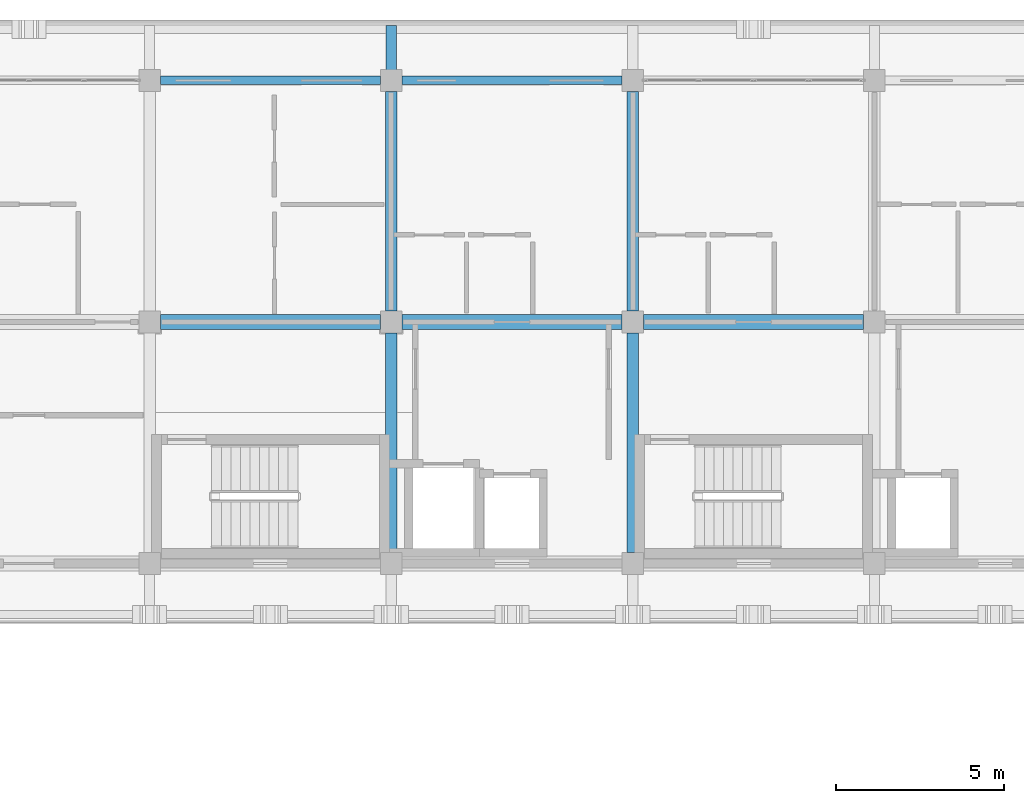
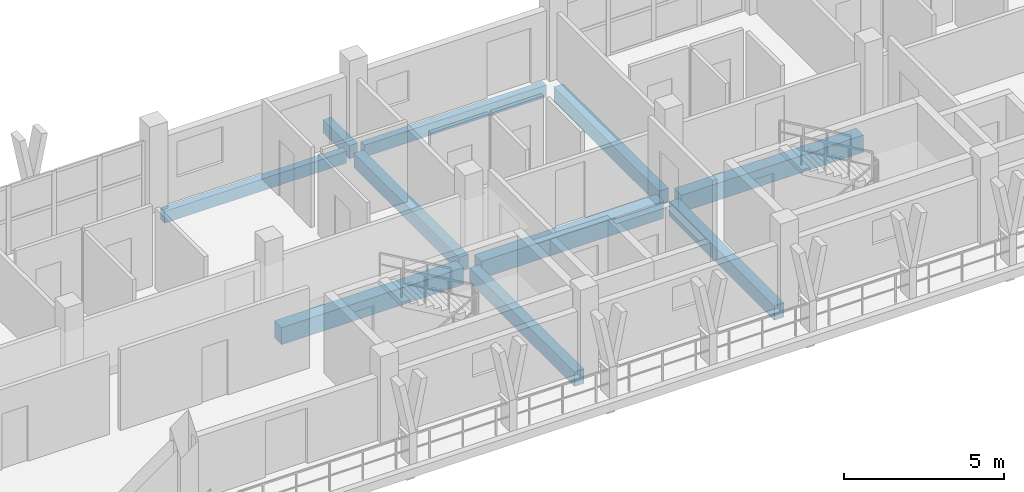
# One storey, part 13 of 75: 10 beams.
"""IFC4 building model written with IfcOpenShell, lengths in metres."""

import ifcopenshell
import ifcopenshell.guid

model = None  # the IFC model being written
_history = None  # IfcOwnerHistory: only IFC2X3 demands one
_inside = {}  # id of a spatial element -> (the spatial element, [elements in it])
_under = {}  # id of a project, library or spatial element -> (it, [spatial elements below it])
_declared = {}  # id of a project -> (the project, [libraries it declares])
_typed = {}  # id of a type object -> (the type object, [elements of that type])
_made_of = {}  # id of a material, layer set ... -> (it, [elements and type objects made of it])


def new_model(schema):
    """Start an empty IFC model of exactly this schema.

    Asked for "IFC4X3", IfcOpenShell would pick the latest addendum, in which some entities
    have other attributes; the version numbers below select the first issue.
    IFC2X3 requires an IfcOwnerHistory on every rooted entity: one is made here for all.
    """
    global model, _history
    if schema == "IFC4X3":
        model = ifcopenshell.file(schema_version=(4, 3, 0, 0))
    else:
        model = ifcopenshell.file(schema=schema)
    _inside.clear()
    _under.clear()
    _declared.clear()
    _typed.clear()
    _made_of.clear()
    _history = None
    if model.schema == "IFC2X3":
        org = make("IfcOrganization", Name="unknown")
        user = make(
            "IfcPersonAndOrganization",
            ThePerson=make("IfcPerson", FamilyName="unknown"),
            TheOrganization=org,
        )
        app = make(
            "IfcApplication",
            ApplicationDeveloper=org,
            Version="unknown",
            ApplicationFullName="unknown",
            ApplicationIdentifier="unknown",
        )
        _history = make(
            "IfcOwnerHistory",
            OwningUser=user,
            OwningApplication=app,
            ChangeAction="ADDED",
            CreationDate=0,
        )
    return model


def make(cls, **values):
    """One entity of the class cls with the attributes given. An attribute that is None is left unset."""
    return model.create_entity(
        cls, **{name: value for name, value in values.items() if value is not None}
    )


def rooted(cls, **values):
    """An entity with a GlobalId (a new one), such as an element, a storey or a relation."""
    return make(cls, GlobalId=ifcopenshell.guid.new(), OwnerHistory=_history, **values)


def si_unit(unit_type, name, prefix=None):
    """IfcSIUnit, for example si_unit("LENGTHUNIT", "METRE", prefix="MILLI")."""
    return make("IfcSIUnit", UnitType=unit_type, Prefix=prefix, Name=name)


def assignment(units):
    """IfcUnitAssignment: the units of a project."""
    return None if units is None else make("IfcUnitAssignment", Units=units)


def point(xyz):
    """IfcCartesianPoint."""
    return None if xyz is None else make("IfcCartesianPoint", Coordinates=xyz)


def direction(xyz):
    """IfcDirection."""
    return None if xyz is None else make("IfcDirection", DirectionRatios=xyz)


def frame(location, z_axis=None, x_axis=None):
    """IfcAxis2Placement3D, a coordinate frame: its origin and axes. An axis left out is left unset."""
    return make(
        "IfcAxis2Placement3D",
        Location=point(location),
        Axis=direction(z_axis),
        RefDirection=direction(x_axis),
    )


def frame_2d(location, x_axis=None):
    """IfcAxis2Placement2D, a coordinate frame in the plane: its origin and x axis."""
    return make(
        "IfcAxis2Placement2D", Location=point(location), RefDirection=direction(x_axis)
    )


def origin():
    """The frame at (0, 0, 0) with its axes left unset."""
    return frame((0.0, 0.0, 0.0))


def origin_2d():
    """The frame at (0, 0) in the plane with its x axis left unset."""
    return frame_2d((0.0, 0.0))


def place(relative_to, where):
    """IfcLocalPlacement: puts the frame where relative to a parent placement (None: the world)."""
    return make(
        "IfcLocalPlacement", PlacementRelTo=relative_to, RelativePlacement=where
    )


def context(
    kind, dimensions, precision=None, world=None, true_north=None, identifier=None
):
    """IfcGeometricRepresentationContext, for example the 3D "Model" context."""
    return make(
        "IfcGeometricRepresentationContext",
        ContextIdentifier=identifier,
        ContextType=kind,
        CoordinateSpaceDimension=dimensions,
        Precision=precision,
        WorldCoordinateSystem=world,
        TrueNorth=true_north,
    )


def subcontext(parent, identifier, kind, view, scale=None):
    """IfcGeometricRepresentationSubContext, for example "Body" below "Model"."""
    return make(
        "IfcGeometricRepresentationSubContext",
        ContextIdentifier=identifier,
        ContextType=kind,
        ParentContext=parent,
        TargetScale=scale,
        TargetView=view,
    )


def project(units=None, contexts=None):
    """IfcProject with its units and contexts."""
    return rooted(
        "IfcProject",
        Name="project",
        RepresentationContexts=contexts,
        UnitsInContext=assignment(units),
    )


def spatial(cls, under=None, at=None, **own):
    """A site, building, storey or space (cls), placed at a placement, below another one or the project."""
    s = rooted(cls, ObjectPlacement=at, **own)
    if under is not None:
        _under.setdefault(under.id(), (under, []))[1].append(s)
    return s


def profile(cls, at=None, kind="AREA", **sizes):
    """A parametric profile (cls). Its sizes go by their IFC names, for example OverallWidth=200.0."""
    return make(cls, ProfileType=kind, Position=at, **sizes)


def rectangle(**sizes):
    """IfcRectangleProfileDef."""
    return profile("IfcRectangleProfileDef", **sizes)


def extrude(swept, where, along, depth):
    """IfcExtrudedAreaSolid: the profile swept, set in the frame where, extruded along a direction by depth."""
    return make(
        "IfcExtrudedAreaSolid",
        SweptArea=swept,
        Position=where,
        ExtrudedDirection=direction(along),
        Depth=depth,
    )


def shape(context_of_items, identifier, shape_type, items):
    """IfcShapeRepresentation: the items that make up one representation, for example the "Body"."""
    return make(
        "IfcShapeRepresentation",
        ContextOfItems=context_of_items,
        RepresentationIdentifier=identifier,
        RepresentationType=shape_type,
        Items=items,
    )


def material(Name=None, Category=None):
    """IfcMaterial."""
    return make("IfcMaterial", Name=Name, Category=Category)


def material_profile(
    of_material, cross_section, Name=None, Category=None, Priority=None
):
    """IfcMaterialProfile: a cross section and its material."""
    return make(
        "IfcMaterialProfile",
        Name=Name,
        Material=of_material,
        Profile=cross_section,
        Priority=Priority,
        Category=Category,
    )


def profile_set(profiles, Name=None, composite=None):
    """IfcMaterialProfileSet."""
    return make(
        "IfcMaterialProfileSet",
        Name=Name,
        MaterialProfiles=profiles,
        CompositeProfile=composite,
    )


def made_of(thing, what):
    """Note that an element or type object is made of a material, layer set ...; save() writes the relation."""
    if what is not None:
        _made_of.setdefault(what.id(), (what, []))[1].append(thing)
    return thing


def type_object(cls, material=None, **own):
    """A type object (cls), such as IfcWallType, which elements share."""
    return made_of(rooted(cls, **own), material)


def element(
    cls,
    number,
    at=None,
    inside=None,
    cuts=None,
    type_object=None,
    material=None,
    context=None,
    identifier="Body",
    shape_type=None,
    held_by="IfcProductDefinitionShape",
    body=None,
    shapes=None,
    **own,
):
    """One element of the class cls, such as IfcWall. Its Tag is "e" and its number.

    at: its placement. inside: the storey or other place that contains it. cuts: it is an
    opening in that element (IfcRelVoidsElement). A single representation is given by context,
    identifier, shape_type and body (its items); several are given by shapes. held_by: the class
    of the entity that holds the representations. save() writes the other relations.
    """
    e = rooted(cls, Tag="e%d" % number, ObjectPlacement=at, **own)
    if body is not None:
        shapes = [shape(context, identifier, shape_type, body)]
    if shapes is not None:
        e.Representation = make(held_by, Representations=shapes)
    if inside is not None:
        _inside.setdefault(inside.id(), (inside, []))[1].append(e)
    if cuts is not None:
        rooted(
            "IfcRelVoidsElement", RelatingBuildingElement=cuts, RelatedOpeningElement=e
        )
    if type_object is not None:
        _typed.setdefault(type_object.id(), (type_object, []))[1].append(e)
    return made_of(e, material)


def aggregate(whole, parts):
    """IfcRelAggregates: a whole, such as a stair, and the parts it consists of."""
    return rooted("IfcRelAggregates", RelatingObject=whole, RelatedObjects=parts)


def save(model, path):
    """Write the relations noted so far, then the file.

    IfcRelAggregates (storeys below a building ...), IfcRelContainedInSpatialStructure (elements
    in a storey), IfcRelDefinesByType, IfcRelAssociatesMaterial and IfcRelDeclares: one each for
    every whole, place, type object, material and project.
    """
    for whole, parts in _under.values():
        aggregate(whole, parts)
    for where, things in _inside.values():
        rooted(
            "IfcRelContainedInSpatialStructure",
            RelatedElements=things,
            RelatingStructure=where,
        )
    for kind, things in _typed.values():
        rooted("IfcRelDefinesByType", RelatedObjects=things, RelatingType=kind)
    for what, things in _made_of.values():
        rooted("IfcRelAssociatesMaterial", RelatedObjects=things, RelatingMaterial=what)
    for by, libraries in _declared.values():
        rooted("IfcRelDeclares", RelatingContext=by, RelatedDefinitions=libraries)
    model.write(path)


model = new_model("IFC4")

# Units and contexts
model_context = context("Model", 3, precision=1e-05, world=origin(), true_north=direction((0.0, 1.0)))
body_context = subcontext(model_context, "Body", "Model", "MODEL_VIEW")
ifc_project = project(units=[si_unit("LENGTHUNIT", "METRE"), si_unit("AREAUNIT", "SQUARE_METRE"), si_unit("VOLUMEUNIT", "CUBIC_METRE"), si_unit("PLANEANGLEUNIT", "RADIAN"), si_unit("MASSUNIT", "GRAM", prefix="KILO")], contexts=[model_context])

# Site, building, storey
site_placement = place(None, origin())
site = spatial("IfcSite", under=ifc_project, at=site_placement, CompositionType="ELEMENT")
building_placement = place(site_placement, origin())
building = spatial("IfcBuilding", under=site, at=building_placement, Name="Suanplinth Sawtooth Commons", CompositionType="ELEMENT")
storey_placement = place(building_placement, frame((0.0, 0.0, 18.60009765625)))
storey = spatial("IfcBuildingStorey", under=building, at=storey_placement, Name="L05", CompositionType="ELEMENT", Elevation=18.60009765625)

# Beams
ifc_material = material(Name="Precast concrete C40/50", Category="concrete")
ifc_material_profile_1 = material_profile(ifc_material, rectangle(XDim=0.449951171875, YDim=0.64990234375, at=origin_2d()), Name="PC-GDR 450x650")
ifc_profile_set_1 = profile_set([ifc_material_profile_1], Name="Precast concrete C40/50")
beam_type_1 = type_object("IfcBeamType", Name="B-04", PredefinedType="USERDEFINED", material=ifc_profile_set_1)
beam_1_placement = place(storey_placement, frame((43.52490234375, 115.199951171875, -0.5751953125), z_axis=(1.0, 0.0, 0.0), x_axis=(0.0, 1.0, 0.0)))
element("IfcBeam", 1, at=beam_1_placement, inside=storey, type_object=beam_type_1, Name="BMX-L05-A-6-16", ObjectType="GIRDER", PredefinedType="USERDEFINED", context=body_context, shape_type="SweptSolid", body=[
    extrude(rectangle(XDim=0.449951171875, YDim=0.64990234375, at=origin_2d()), origin(), (0.0, 0.0, 1.0), 6.550048828125),
])
beam_2_placement = place(storey_placement, frame((50.72509765625, 115.199951171875, -0.5751953125), z_axis=(1.0, 0.0, 0.0), x_axis=(0.0, 1.0, 0.0)))
element("IfcBeam", 2, at=beam_2_placement, inside=storey, type_object=beam_type_1, Name="BMX-L05-A-7-16", ObjectType="GIRDER", PredefinedType="USERDEFINED", context=body_context, shape_type="SweptSolid", body=[
    extrude(rectangle(XDim=0.449951171875, YDim=0.64990234375, at=origin_2d()), origin(), (0.0, 0.0, 1.0), 6.5498046875),
])
beam_3_placement = place(storey_placement, frame((57.925048828125, 115.199951171875, -0.5751953125), z_axis=(1.0, 0.0, 0.0), x_axis=(0.0, 1.0, 0.0)))
element("IfcBeam", 3, at=beam_3_placement, inside=storey, type_object=beam_type_1, Name="BMX-L05-A-8-16", ObjectType="GIRDER", PredefinedType="USERDEFINED", context=body_context, shape_type="SweptSolid", body=[
    extrude(rectangle(XDim=0.449951171875, YDim=0.64990234375, at=origin_2d()), origin(), (0.0, 0.0, 1.0), 6.550048828125),
])
ifc_material_profile_2 = material_profile(ifc_material, rectangle(XDim=0.35009765625, YDim=0.550048828125, at=origin_2d()), Name="PC-BM 350x550")
ifc_profile_set_2 = profile_set([ifc_material_profile_2], Name="Precast concrete C40/50")
beam_type_2 = type_object("IfcBeamType", Name="B-06", PredefinedType="BEAM", material=ifc_profile_set_2)
for number, where, z_axis, x_axis, name in (
    (4, (50.39990234375, 108.324951171875, -0.525146484375), (0.0, 1.0, 0.0), (-1.0, 0.0, 0.0), "BMY-L05-A-7-15"),
    (5, (50.39990234375, 115.52490234375, -0.525146484375), (0.0, 1.0, 0.0), (-1.0, 0.0, 0.0), "BMY-L05-A-7-16"),
    (6, (57.60009765625, 108.324951171875, -0.525146484375), (0.0, 1.0, 0.0), (-1.0, 0.0, 0.0), "BMY-L05-A-8-15"),
    (7, (57.60009765625, 115.52490234375, -0.525146484375), (0.0, 1.0, 0.0), (-1.0, 0.0, 0.0), "BMY-L05-A-8-16"),
):
    element("IfcBeam", number, at=place(storey_placement, frame(where, z_axis=z_axis, x_axis=x_axis)), inside=storey, type_object=beam_type_2, Name=name, PredefinedType="BEAM", context=body_context, shape_type="SweptSolid", body=[
        extrude(rectangle(XDim=0.35009765625, YDim=0.550048828125, at=origin_2d()), origin(), (0.0, 0.0, 1.0), 6.550048828125),
    ])
ifc_material_profile_3 = material_profile(ifc_material, rectangle(XDim=0.300048828125, YDim=0.5, at=origin_2d()), Name="PC-BM 300x500")
ifc_profile_set_3 = profile_set([ifc_material_profile_3], Name="Precast concrete C40/50")
beam_type_3 = type_object("IfcBeamType", Name="B-07", PredefinedType="BEAM", material=ifc_profile_set_3)
beam_4_placement = place(storey_placement, frame((50.39990234375, 122.39990234375, -0.43017578125), z_axis=(0.0, 1.0, 0.0), x_axis=(-1.0, 0.0, 0.0)))
element("IfcBeam", 8, at=beam_4_placement, inside=storey, type_object=beam_type_3, Name="Balcony Outrigger L05-A-N-7", PredefinedType="BEAM", context=body_context, shape_type="SweptSolid", body=[
    extrude(rectangle(XDim=0.300048828125, YDim=0.5, at=origin_2d()), origin(), (0.0, 0.0, 1.0), 1.64013671875),
])
ifc_material_profile_4 = material_profile(ifc_material, rectangle(XDim=0.25, YDim=0.449951171875, at=origin_2d()), Name="PC-SP 250x450")
ifc_profile_set_4 = profile_set([ifc_material_profile_4], Name="Precast concrete C40/50")
beam_type_4 = type_object("IfcBeamType", Name="B-09", PredefinedType="SPANDREL", material=ifc_profile_set_4)
beam_5_placement = place(storey_placement, frame((43.52490234375, 122.39990234375, -0.47509765625), z_axis=(1.0, 0.0, 0.0), x_axis=(0.0, 1.0, 0.0)))
element("IfcBeam", 9, at=beam_5_placement, inside=storey, type_object=beam_type_4, Name="BMX-L05-A-6-17", PredefinedType="SPANDREL", context=body_context, shape_type="SweptSolid", body=[
    extrude(rectangle(XDim=0.25, YDim=0.449951171875, at=origin_2d()), origin(), (0.0, 0.0, 1.0), 6.550048828125),
])
beam_6_placement = place(storey_placement, frame((50.72509765625, 122.39990234375, -0.47509765625), z_axis=(1.0, 0.0, 0.0), x_axis=(0.0, 1.0, 0.0)))
element("IfcBeam", 10, at=beam_6_placement, inside=storey, type_object=beam_type_4, Name="BMX-L05-A-7-17", PredefinedType="SPANDREL", context=body_context, shape_type="SweptSolid", body=[
    extrude(rectangle(XDim=0.25, YDim=0.449951171875, at=origin_2d()), origin(), (0.0, 0.0, 1.0), 6.5498046875),
])

save(model, "model.ifc")
